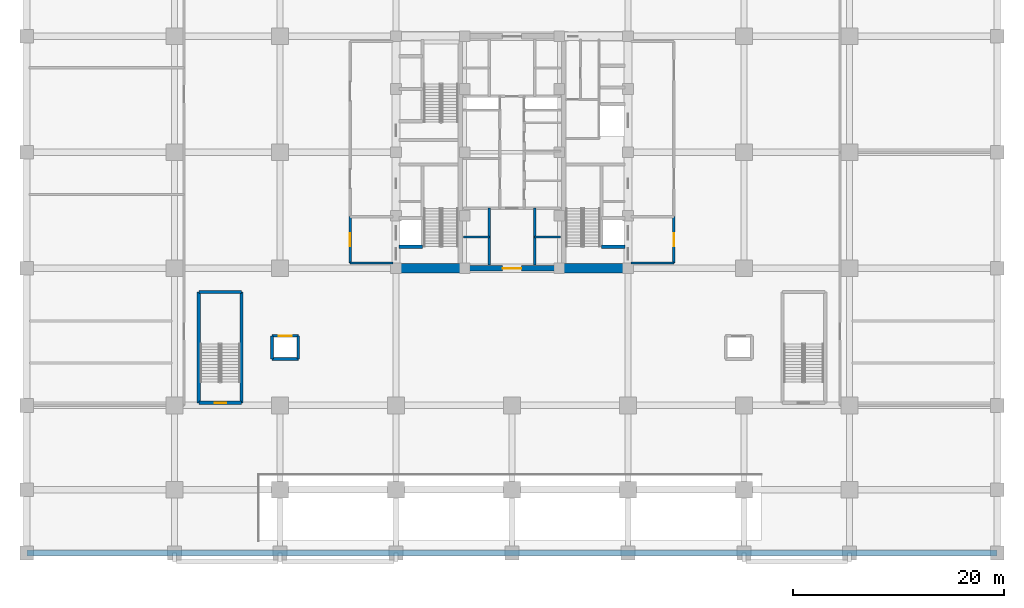
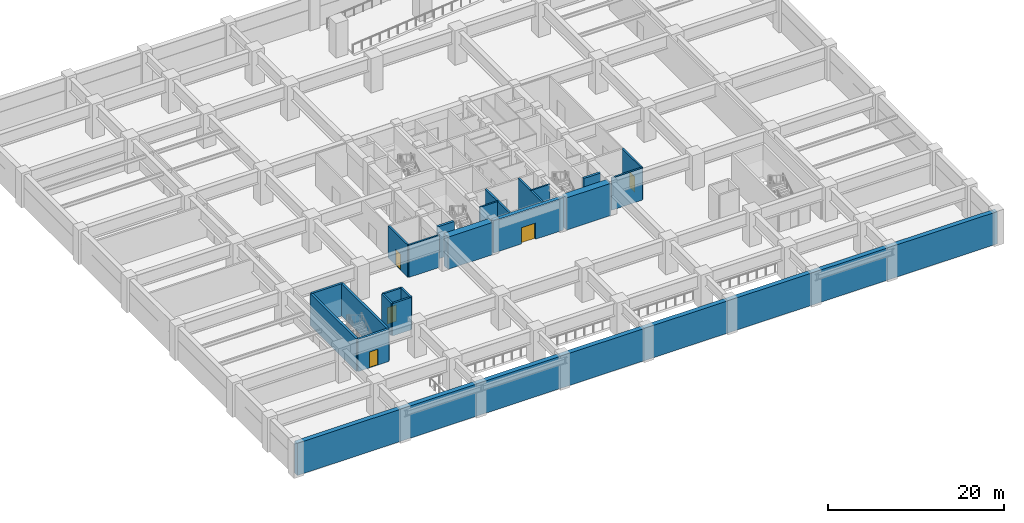
# One storey, part 4 of 13: 22 walls, 5 doors, 5 openings.
"""IFC4 building model written with IfcOpenShell, lengths in metres."""

from ifc_helpers import new_model, si_unit, direction, frame, frame_2d, origin, place, context, subcontext, project, spatial, rectangle, extrude, source, transform, mapped, material, layer, layer_set, type_object, element, fill, save


model = new_model("IFC4")

# Units and contexts
model_context = context("Model", 3, precision=1e-05, world=origin(), true_north=direction((0.0, 1.0)))
body_context = subcontext(model_context, "Body", "Model", "MODEL_VIEW")
ifc_project = project(units=[si_unit("LENGTHUNIT", "METRE"), si_unit("AREAUNIT", "SQUARE_METRE"), si_unit("VOLUMEUNIT", "CUBIC_METRE"), si_unit("PLANEANGLEUNIT", "RADIAN"), si_unit("MASSUNIT", "GRAM", prefix="KILO")], contexts=[model_context])

# Site, building, storey
site_placement = place(None, origin())
site = spatial("IfcSite", under=ifc_project, at=site_placement, CompositionType="ELEMENT")
building_placement = place(site_placement, origin())
building = spatial("IfcBuilding", under=site, at=building_placement, Name="Khorayat Bourse Tower", CompositionType="ELEMENT")
storey_placement = place(building_placement, frame((0.0, 0.0, -4.800048828125)))
storey = spatial("IfcBuildingStorey", under=building, at=storey_placement, Name="B01", CompositionType="ELEMENT", Elevation=-4.800048828125)

# Walls
ifc_material_1 = material(Name="Concrete C72/90", Category="concrete")
ifc_layer_1 = layer(ifc_material_1, 0.89990234375)
ifc_layer_set_1 = layer_set([ifc_layer_1], Name="Concrete C72/90")
wall_type_1 = type_object("IfcWallType", Name="WAL-CORE-900", PredefinedType="SHEAR", material=ifc_layer_set_1)
shared_shape_1 = source(origin(), body_context, "Body", "SweptSolid", [
    extrude(rectangle(XDim=5.849853515625, YDim=0.89990234375, at=frame_2d((2.9248046875, 0.0))), origin(), (0.0, 0.0, 1.0), 4.47998046875),
])
for number, where, z_axis, x_axis, name in (
    (1, (-10.699951171875, -11.0, 0.0), (0.0, 0.0, 1.0), (1.0, 0.0, 0.0), "B01 Core Shear Wall PIER-WS"),
    (2, (4.85009765625, -11.0, 0.0), (0.0, 0.0, 1.0), (1.0, 0.0, 0.0), "B01 Core Shear Wall PIER-ES"),
):
    element("IfcWall", number, at=place(storey_placement, frame(where, z_axis=z_axis, x_axis=x_axis)), inside=storey, type_object=wall_type_1, Name=name, PredefinedType="SHEAR", context=body_context, shape_type="MappedRepresentation", body=[
        mapped(shared_shape_1, transform((0.0, 0.0, 0.0), scale=1.0)),
    ])

# Wall, opening, door
ifc_material_2 = material(Name="Concrete C52/65", Category="concrete")
ifc_layer_2 = layer(ifc_material_2, 0.5)
ifc_layer_set_2 = layer_set([ifc_layer_2], Name="Concrete C52/65")
wall_type_2 = type_object("IfcWallType", Name="WAL-CORE-500", PredefinedType="SHEAR", material=ifc_layer_set_2)
shared_shape_2 = source(origin(), body_context, "Body", "SweptSolid", [
    extrude(rectangle(XDim=9.2001953125, YDim=0.5, at=frame_2d((4.60009765625, 0.0))), origin(), (0.0, 0.0, 1.0), 4.47998046875),
])
wall_1_placement = place(storey_placement, frame((-4.60009765625, -11.0, 0.0), z_axis=(0.0, 0.0, 1.0), x_axis=(1.0, 0.0, 0.0)))
wall_1 = element("IfcWall", 3, at=wall_1_placement, inside=storey, type_object=wall_type_2, Name="B01 Core Shear Wall CORE-S", PredefinedType="SHEAR", context=body_context, shape_type="MappedRepresentation", body=[
    mapped(shared_shape_2, transform((0.0, 0.0, 0.0), scale=1.0)),
])
shared_shape_3 = source(origin(), body_context, "Body", "SweptSolid", [
    extrude(rectangle(XDim=1.800048828125, YDim=2.25, at=frame_2d((0.89990234375, 1.125))), frame((0.0, 0.260009765625, 0.0), z_axis=(0.0, -1.0, 0.0), x_axis=(1.0, 0.0, 0.0)), (0.0, 0.0, 1.0), 0.52001953125),
])
opening_1_placement = place(wall_1_placement, frame((3.699951171875, 0.0, 0.0)))
opening_1 = element("IfcOpeningElement", 4, at=opening_1_placement, cuts=wall_1, Name="Opening DI-03", PredefinedType="OPENING", context=body_context, shape_type="MappedRepresentation", body=[
    mapped(shared_shape_3, transform((0.0, 0.0, 0.0), scale=1.0)),
])
ifc_material_3 = material(Name="Fire-rated hardwood vision-panel double leaf", Category="wood")
door_type_1 = type_object("IfcDoorType", Name="DR-INT-CORR-1800", OperationType="NOTDEFINED", PredefinedType="DOOR", material=ifc_material_3)
shared_shape_4 = source(origin(), body_context, "Body", "SweptSolid", [
    extrude(rectangle(XDim=1.800048828125, YDim=2.25, at=frame_2d((0.89990234375, 1.125))), frame((0.0, 0.02490234375, 0.0), z_axis=(0.0, -1.0, 0.0), x_axis=(1.0, 0.0, 0.0)), (0.0, 0.0, 1.0), 0.050048828125),
])
door_1_placement = place(opening_1_placement, origin())
door_1 = element("IfcDoor", 5, at=door_1_placement, inside=storey, type_object=door_type_1, Name="B01 Low-Rise Lift Lobby Door", OperationType="SINGLE_SWING_LEFT", OverallHeight=2.25, OverallWidth=1.800048828125, PredefinedType="DOOR", context=body_context, shape_type="MappedRepresentation", body=[
    mapped(shared_shape_4, transform((0.0, 0.0, 0.0), scale=1.0)),
])
fill(opening_1, door_1)

# Walls
ifc_material_4 = material(Name="Concrete C50/60", Category="concrete")
ifc_layer_3 = layer(ifc_material_4, 0.60009765625)
ifc_layer_set_3 = layer_set([ifc_layer_3], Name="Concrete C50/60")
wall_type_3 = type_object("IfcWallType", Name="WAL-RET-600", PredefinedType="USERDEFINED", material=ifc_layer_set_3)
shared_shape_5 = source(origin(), body_context, "Body", "SweptSolid", [
    extrude(rectangle(XDim=92.0, YDim=0.60009765625, at=frame_2d((46.0, 0.0))), origin(), (0.0, 0.0, 1.0), 4.47998046875),
])
wall_2_placement = place(storey_placement, frame((-46.0, -38.0, 0.0), z_axis=(0.0, 0.0, 1.0), x_axis=(1.0, 0.0, 0.0)))
element("IfcWall", 6, at=wall_2_placement, inside=storey, type_object=wall_type_3, Name="B01 Perimeter Retaining Wall S", ObjectType="RETAINING WALL", PredefinedType="USERDEFINED", context=body_context, shape_type="MappedRepresentation", body=[
    mapped(shared_shape_5, transform((0.0, 0.0, 0.0), scale=1.0)),
])
ifc_layer_4 = layer(ifc_material_4, 0.300048828125)
ifc_layer_set_4 = layer_set([ifc_layer_4], Name="Concrete C50/60")
wall_type_4 = type_object("IfcWallType", Name="WAL-SHAFT-300", PredefinedType="SHEAR", material=ifc_layer_set_4)
shared_shape_6 = source(origin(), body_context, "Body", "SweptSolid", [
    extrude(rectangle(XDim=2.199951171875, YDim=0.300048828125, at=frame_2d((1.10009765625, 0.0))), origin(), (0.0, 0.0, 1.0), 4.47998046875),
])
for number, where, z_axis, x_axis, name in (
    (7, (-10.699951171875, -8.949951171875, 0.0), (0.0, 0.0, 1.0), (1.0, 0.0, 0.0), "B01 Partition WAL-B01-WPIER-FF1S"),
    (8, (8.5, -8.949951171875, 0.0), (0.0, 0.0, 1.0), (1.0, 0.0, 0.0), "B01 Partition WAL-B01-EPIER-FF2S"),
):
    element("IfcWall", number, at=place(storey_placement, frame(where, z_axis=z_axis, x_axis=x_axis)), inside=storey, type_object=wall_type_4, Name=name, PredefinedType="SHEAR", context=body_context, shape_type="MappedRepresentation", body=[
        mapped(shared_shape_6, transform((0.0, 0.0, 0.0), scale=1.0)),
    ])
ifc_material_5 = material(Name="Aerated concrete blockwork", Category="masonry")
ifc_layer_5 = layer(ifc_material_5, 0.219970703125)
ifc_layer_set_5 = layer_set([ifc_layer_5], Name="Aerated concrete blockwork")
wall_type_5 = type_object("IfcWallType", Name="WAL-PART-FF-220", PredefinedType="PARTITIONING", material=ifc_layer_set_5)
shared_shape_7 = source(origin(), body_context, "Body", "SweptSolid", [
    extrude(rectangle(XDim=4.050048828125, YDim=0.219970703125, at=frame_2d((2.02490234375, 0.0))), origin(), (0.0, 0.0, 1.0), 4.47998046875),
])
for number, where, z_axis, x_axis, name in (
    (9, (-15.35009765625, -10.5, 0.0), (0.0, 0.0, 1.0), (1.0, 0.0, 0.0), "B01 Partition WAL-B01-FFLW-S"),
    (10, (11.300048828125, -10.5, 0.0), (0.0, 0.0, 1.0), (1.0, 0.0, 0.0), "B01 Partition WAL-B01-FFLE-S"),
):
    element("IfcWall", number, at=place(storey_placement, frame(where, z_axis=z_axis, x_axis=x_axis)), inside=storey, type_object=wall_type_5, Name=name, PredefinedType="PARTITIONING", context=body_context, shape_type="MappedRepresentation", body=[
        mapped(shared_shape_7, transform((0.0, 0.0, 0.0), scale=1.0)),
    ])

# Wall, opening, door
shared_shape_8 = source(origin(), body_context, "Body", "SweptSolid", [
    extrude(rectangle(XDim=4.39990234375, YDim=0.219970703125, at=frame_2d((2.199951171875, 0.0))), origin(), (0.0, 0.0, 1.0), 4.47998046875),
])
wall_3_placement = place(storey_placement, frame((-15.35009765625, -10.5, 0.0), z_axis=(0.0, 0.0, 1.0), x_axis=(0.0, 1.0, 0.0)))
wall_3 = element("IfcWall", 11, at=wall_3_placement, inside=storey, type_object=wall_type_5, Name="B01 Partition WAL-B01-FFLW-W", PredefinedType="PARTITIONING", context=body_context, shape_type="MappedRepresentation", body=[
    mapped(shared_shape_8, transform((0.0, 0.0, 0.0), scale=1.0)),
])
shared_shape_9 = source(origin(), body_context, "Body", "SweptSolid", [
    extrude(rectangle(XDim=1.199951171875, YDim=2.199951171875, at=frame_2d((0.60009765625, 1.10009765625))), frame((0.0, 0.119873046875, 0.0), z_axis=(0.0, -1.0, 0.0), x_axis=(1.0, 0.0, 0.0)), (0.0, 0.0, 1.0), 0.239990234375),
])
opening_2_placement = place(wall_3_placement, frame((1.60009765625, 0.0, 0.0)))
opening_2 = element("IfcOpeningElement", 12, at=opening_2_placement, cuts=wall_3, Name="Opening DI-02", PredefinedType="OPENING", context=body_context, shape_type="MappedRepresentation", body=[
    mapped(shared_shape_9, transform((0.0, 0.0, 0.0), scale=1.0)),
])
ifc_material_6 = material(Name="Fire-rated steel double-seal leaf", Category="steel")
door_type_2 = type_object("IfcDoorType", Name="DR-INT-FFLOBBY-1200", OperationType="NOTDEFINED", PredefinedType="DOOR", material=ifc_material_6)
shared_shape_10 = source(origin(), body_context, "Body", "SweptSolid", [
    extrude(rectangle(XDim=1.199951171875, YDim=2.199951171875, at=frame_2d((0.60009765625, 1.10009765625))), frame((0.0, 0.02490234375, 0.0), z_axis=(0.0, -1.0, 0.0), x_axis=(1.0, 0.0, 0.0)), (0.0, 0.0, 1.0), 0.050048828125),
])
door_2_placement = place(opening_2_placement, origin())
door_2 = element("IfcDoor", 13, at=door_2_placement, inside=storey, type_object=door_type_2, Name="B01 West Firefighting Lobby Door", OperationType="SINGLE_SWING_LEFT", OverallHeight=2.199951171875, OverallWidth=1.199951171875, PredefinedType="DOOR", context=body_context, shape_type="MappedRepresentation", body=[
    mapped(shared_shape_10, transform((0.0, 0.0, 0.0), scale=1.0)),
])
fill(opening_2, door_2)

wall_4_placement = place(storey_placement, frame((15.35009765625, -10.5, 0.0), z_axis=(0.0, 0.0, 1.0), x_axis=(0.0, 1.0, 0.0)))
wall_4 = element("IfcWall", 14, at=wall_4_placement, inside=storey, type_object=wall_type_5, Name="B01 Partition WAL-B01-FFLE-E", PredefinedType="PARTITIONING", context=body_context, shape_type="MappedRepresentation", body=[
    mapped(shared_shape_8, transform((0.0, 0.0, 0.0), scale=1.0)),
])
opening_3_placement = place(wall_4_placement, frame((1.60009765625, 0.0, 0.0)))
opening_3 = element("IfcOpeningElement", 15, at=opening_3_placement, cuts=wall_4, Name="Opening DI-02", PredefinedType="OPENING", context=body_context, shape_type="MappedRepresentation", body=[
    mapped(shared_shape_9, transform((0.0, 0.0, 0.0), scale=1.0)),
])
door_3_placement = place(opening_3_placement, origin())
door_3 = element("IfcDoor", 16, at=door_3_placement, inside=storey, type_object=door_type_2, Name="B01 East Firefighting Lobby Door", OperationType="SINGLE_SWING_RIGHT", OverallHeight=2.199951171875, OverallWidth=1.199951171875, PredefinedType="DOOR", context=body_context, shape_type="MappedRepresentation", body=[
    mapped(shared_shape_10, transform((0.0, 0.0, 0.0), scale=1.0)),
])
fill(opening_3, door_3)

# Walls
shared_shape_11 = source(origin(), body_context, "Body", "SweptSolid", [
    extrude(rectangle(XDim=5.39990234375, YDim=0.25, at=frame_2d((2.699951171875, 0.0))), origin(), (0.0, 0.0, 1.0), 4.47998046875),
])
for number, where, z_axis, x_axis, name in (
    (17, (-2.14990234375, -10.699951171875, 0.0), (0.0, 0.0, 1.0), (0.0, 1.0, 0.0), "B01 Partition WAL-B01-B1-W"),
    (18, (2.14990234375, -10.699951171875, 0.0), (0.0, 0.0, 1.0), (0.0, 1.0, 0.0), "B01 Partition WAL-B01-B1-E"),
):
    element("IfcWall", number, at=place(storey_placement, frame(where, z_axis=z_axis, x_axis=x_axis)), inside=storey, type_object=wall_type_4, Name=name, PredefinedType="SHEAR", context=body_context, shape_type="MappedRepresentation", body=[
        mapped(shared_shape_11, transform((0.0, 0.0, 0.0), scale=1.0)),
    ])
shared_shape_12 = source(origin(), body_context, "Body", "SweptSolid", [
    extrude(rectangle(XDim=2.4501953125, YDim=0.199951171875, at=frame_2d((1.22509765625, 0.0))), origin(), (0.0, 0.0, 1.0), 4.47998046875),
])
for number, where, z_axis, x_axis, name in (
    (19, (-4.60009765625, -8.050048828125, 0.0), (0.0, 0.0, 1.0), (1.0, 0.0, 0.0), "B01 Partition WAL-B01-B1-MW"),
    (20, (2.14990234375, -8.050048828125, 0.0), (0.0, 0.0, 1.0), (1.0, 0.0, 0.0), "B01 Partition WAL-B01-B1-ME"),
):
    element("IfcWall", number, at=place(storey_placement, frame(where, z_axis=z_axis, x_axis=x_axis)), inside=storey, type_object=wall_type_4, Name=name, PredefinedType="SHEAR", context=body_context, shape_type="MappedRepresentation", body=[
        mapped(shared_shape_12, transform((0.0, 0.0, 0.0), scale=1.0)),
    ])

# Wall, opening, door
shared_shape_13 = source(origin(), body_context, "Body", "SweptSolid", [
    extrude(rectangle(XDim=4.050048828125, YDim=0.300048828125, at=frame_2d((2.02490234375, 0.0))), origin(), (0.0, 0.0, 1.0), 4.47998046875),
])
wall_5_placement = place(storey_placement, frame((-29.699951171875, -23.75, 0.0), z_axis=(0.0, 0.0, 1.0), x_axis=(1.0, 0.0, 0.0)))
wall_5 = element("IfcWall", 21, at=wall_5_placement, inside=storey, type_object=wall_type_4, Name="B01 Partition WAL-B01-STP1-S", PredefinedType="SHEAR", context=body_context, shape_type="MappedRepresentation", body=[
    mapped(shared_shape_13, transform((0.0, 0.0, 0.0), scale=1.0)),
])
shared_shape_14 = source(origin(), body_context, "Body", "SweptSolid", [
    extrude(rectangle(XDim=1.10009765625, YDim=2.199951171875, at=frame_2d((0.550048828125, 1.10009765625))), frame((0.0, 0.159912109375, 0.0), z_axis=(0.0, -1.0, 0.0), x_axis=(1.0, 0.0, 0.0)), (0.0, 0.0, 1.0), 0.320068359375),
])
opening_4_placement = place(wall_5_placement, frame((1.5, 0.0, 0.0)))
opening_4 = element("IfcOpeningElement", 22, at=opening_4_placement, cuts=wall_5, Name="Opening DI-01", PredefinedType="OPENING", context=body_context, shape_type="MappedRepresentation", body=[
    mapped(shared_shape_14, transform((0.0, 0.0, 0.0), scale=1.0)),
])
ifc_material_7 = material(Name="Fire-rated steel acoustic leaf", Category="steel")
door_type_3 = type_object("IfcDoorType", Name="DR-INT-STAIR-1100", OperationType="NOTDEFINED", PredefinedType="DOOR", material=ifc_material_7)
shared_shape_15 = source(origin(), body_context, "Body", "SweptSolid", [
    extrude(rectangle(XDim=1.10009765625, YDim=2.199951171875, at=frame_2d((0.550048828125, 1.10009765625))), frame((0.0, 0.02490234375, 0.0), z_axis=(0.0, -1.0, 0.0), x_axis=(1.0, 0.0, 0.0)), (0.0, 0.0, 1.0), 0.050048828125),
])
door_4_placement = place(opening_4_placement, origin())
door_4 = element("IfcDoor", 23, at=door_4_placement, inside=storey, type_object=door_type_3, Name="B01 Podium Stair P1 Door", OperationType="SINGLE_SWING_RIGHT", OverallHeight=2.199951171875, OverallWidth=1.10009765625, PredefinedType="DOOR", context=body_context, shape_type="MappedRepresentation", body=[
    mapped(shared_shape_15, transform((0.0, 0.0, 0.0), scale=1.0)),
])
fill(opening_4, door_4)

# Walls
wall_6_placement = place(storey_placement, frame((-29.699951171875, -13.25, 0.0), z_axis=(0.0, 0.0, 1.0), x_axis=(1.0, 0.0, 0.0)))
element("IfcWall", 24, at=wall_6_placement, inside=storey, type_object=wall_type_4, Name="B01 Partition WAL-B01-STP1-N", PredefinedType="SHEAR", context=body_context, shape_type="MappedRepresentation", body=[
    mapped(shared_shape_13, transform((0.0, 0.0, 0.0), scale=1.0)),
])
shared_shape_16 = source(origin(), body_context, "Body", "SweptSolid", [
    extrude(rectangle(XDim=10.5, YDim=0.300048828125, at=frame_2d((5.25, 0.0))), origin(), (0.0, 0.0, 1.0), 4.47998046875),
])
for number, where, z_axis, x_axis, name in (
    (25, (-29.699951171875, -23.75, 0.0), (0.0, 0.0, 1.0), (0.0, 1.0, 0.0), "B01 Partition WAL-B01-STP1-W"),
    (26, (-25.64990234375, -23.75, 0.0), (0.0, 0.0, 1.0), (0.0, 1.0, 0.0), "B01 Partition WAL-B01-STP1-E"),
):
    element("IfcWall", number, at=place(storey_placement, frame(where, z_axis=z_axis, x_axis=x_axis)), inside=storey, type_object=wall_type_4, Name=name, PredefinedType="SHEAR", context=body_context, shape_type="MappedRepresentation", body=[
        mapped(shared_shape_16, transform((0.0, 0.0, 0.0), scale=1.0)),
    ])
shared_shape_17 = source(origin(), body_context, "Body", "SweptSolid", [
    extrude(rectangle(XDim=2.5, YDim=0.25, at=frame_2d((1.25, 0.0))), origin(), (0.0, 0.0, 1.0), 4.47998046875),
])
wall_7_placement = place(storey_placement, frame((-22.75, -19.60009765625, 0.0), z_axis=(0.0, 0.0, 1.0), x_axis=(1.0, 0.0, 0.0)))
element("IfcWall", 27, at=wall_7_placement, inside=storey, type_object=wall_type_4, Name="B01 Partition WAL-B01-PLP1-S", PredefinedType="SHEAR", context=body_context, shape_type="MappedRepresentation", body=[
    mapped(shared_shape_17, transform((0.0, 0.0, 0.0), scale=1.0)),
])

# Wall, opening, door
wall_8_placement = place(storey_placement, frame((-22.75, -17.39990234375, 0.0), z_axis=(0.0, 0.0, 1.0), x_axis=(1.0, 0.0, 0.0)))
wall_8 = element("IfcWall", 28, at=wall_8_placement, inside=storey, type_object=wall_type_4, Name="B01 Partition WAL-B01-PLP1-N", PredefinedType="SHEAR", context=body_context, shape_type="MappedRepresentation", body=[
    mapped(shared_shape_17, transform((0.0, 0.0, 0.0), scale=1.0)),
])
shared_shape_18 = source(origin(), body_context, "Body", "SweptSolid", [
    extrude(rectangle(XDim=1.199951171875, YDim=2.300048828125, at=frame_2d((0.60009765625, 1.14990234375))), frame((0.0, 0.135009765625, 0.0), z_axis=(0.0, -1.0, 0.0), x_axis=(1.0, 0.0, 0.0)), (0.0, 0.0, 1.0), 0.27001953125),
])
opening_5_placement = place(wall_8_placement, frame((0.64990234375, 0.0, 0.0)))
opening_5 = element("IfcOpeningElement", 29, at=opening_5_placement, cuts=wall_8, Name="Opening LD-01", PredefinedType="OPENING", context=body_context, shape_type="MappedRepresentation", body=[
    mapped(shared_shape_18, transform((0.0, 0.0, 0.0), scale=1.0)),
])
ifc_material_8 = material(Name="Brushed bronze stainless-steel sliding door", Category="steel")
door_type_4 = type_object("IfcDoorType", Name="DR-LIFT-PASS-1200", OperationType="NOTDEFINED", PredefinedType="DOOR", material=ifc_material_8)
shared_shape_19 = source(origin(), body_context, "Body", "SweptSolid", [
    extrude(rectangle(XDim=1.199951171875, YDim=2.300048828125, at=frame_2d((0.60009765625, 1.14990234375))), frame((0.0, 0.02490234375, 0.0), z_axis=(0.0, -1.0, 0.0), x_axis=(1.0, 0.0, 0.0)), (0.0, 0.0, 1.0), 0.050048828125),
])
door_5_placement = place(opening_5_placement, origin())
door_5 = element("IfcDoor", 30, at=door_5_placement, inside=storey, type_object=door_type_4, Name="B01 Lift PL-P1 Sliding Landing Door", OperationType="SLIDING_TO_LEFT", OverallHeight=2.300048828125, OverallWidth=1.199951171875, PredefinedType="DOOR", context=body_context, shape_type="MappedRepresentation", body=[
    mapped(shared_shape_19, transform((0.0, 0.0, 0.0), scale=1.0)),
])
fill(opening_5, door_5)

# Walls
shared_shape_20 = source(origin(), body_context, "Body", "SweptSolid", [
    extrude(rectangle(XDim=2.2001953125, YDim=0.25, at=frame_2d((1.10009765625, 0.0))), origin(), (0.0, 0.0, 1.0), 4.47998046875),
])
for number, where, z_axis, x_axis, name in (
    (31, (-22.75, -19.60009765625, 0.0), (0.0, 0.0, 1.0), (0.0, 1.0, 0.0), "B01 Partition WAL-B01-PLP1-W"),
    (32, (-20.25, -19.60009765625, 0.0), (0.0, 0.0, 1.0), (0.0, 1.0, 0.0), "B01 Partition WAL-B01-PLP1-E"),
):
    element("IfcWall", number, at=place(storey_placement, frame(where, z_axis=z_axis, x_axis=x_axis)), inside=storey, type_object=wall_type_4, Name=name, PredefinedType="SHEAR", context=body_context, shape_type="MappedRepresentation", body=[
        mapped(shared_shape_20, transform((0.0, 0.0, 0.0), scale=1.0)),
    ])

save(model, "model.ifc")
